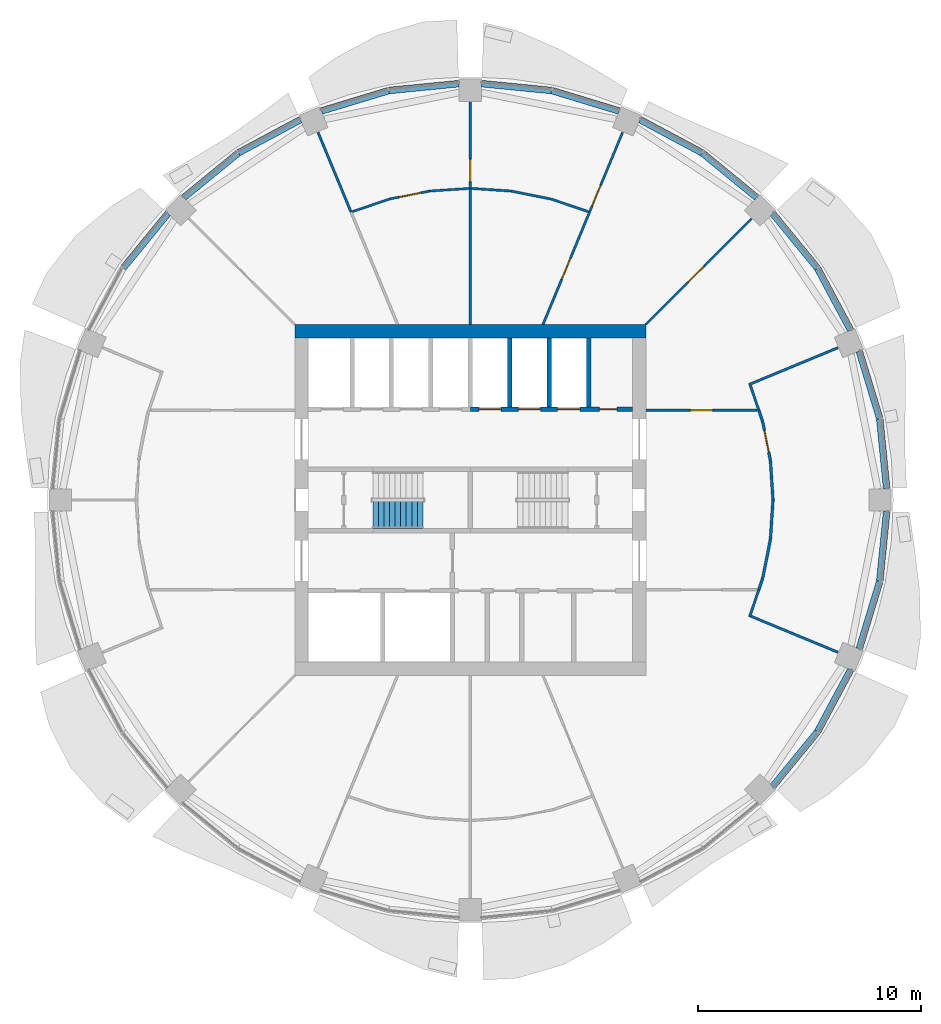
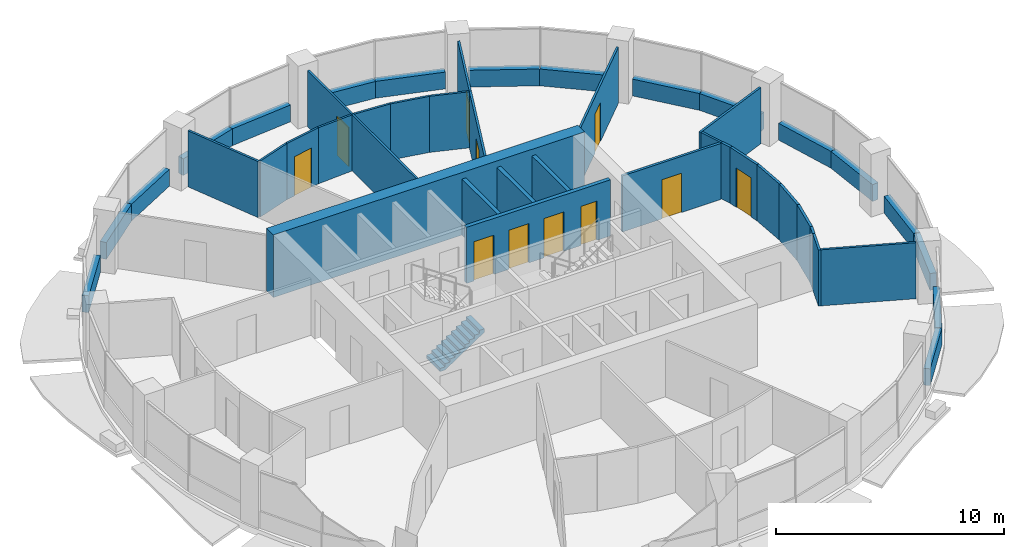
# One storey, part 10 of 15: 45 walls, 11 doors, 1 stair flight, 11 openings, 1 element without a shape of its own.
"""IFC4 building model written with IfcOpenShell, lengths in metres."""

from ifc_helpers import new_model, si_unit, direction, frame, frame_2d, origin, place, context, subcontext, project, spatial, polyline, rectangle, outline, extrude, material, layer, layer_set, type_object, element, fill, aggregate, save


model = new_model("IFC4")

# Units and contexts
model_context = context("Model", 3, precision=1e-05, world=origin(), true_north=direction((0.0, 1.0)))
body_context = subcontext(model_context, "Body", "Model", "MODEL_VIEW")
ifc_project = project(units=[si_unit("LENGTHUNIT", "METRE"), si_unit("AREAUNIT", "SQUARE_METRE"), si_unit("VOLUMEUNIT", "CUBIC_METRE"), si_unit("PLANEANGLEUNIT", "RADIAN"), si_unit("MASSUNIT", "GRAM", prefix="KILO")], contexts=[model_context])

# Site, building, storey
site_placement = place(None, origin())
site = spatial("IfcSite", under=ifc_project, at=site_placement, CompositionType="ELEMENT")
building_placement = place(site_placement, origin())
building = spatial("IfcBuilding", under=site, at=building_placement, Name="Polderwave Tower", CompositionType="ELEMENT")
storey_placement = place(building_placement, frame((0.0, 0.0, 134.35009765625)))
storey = spatial("IfcBuildingStorey", under=building, at=storey_placement, Name="L35", CompositionType="ELEMENT", Elevation=134.35009765625)

# Walls
ifc_material_1 = material(Name="Concrete C60/75", Category="concrete")
ifc_layer_1 = layer(ifc_material_1, 0.60009765625)
ifc_layer_set_1 = layer_set([ifc_layer_1], Name="CORE WALL 600 C60/75")
wall_type_1 = type_object("IfcWallType", Name="CORE WALL 600 C60/75", PredefinedType="SHEAR", material=ifc_layer_set_1)
wall_1_placement = place(storey_placement, frame((-7.8740234375, 7.573974609375, 0.0), z_axis=(0.0, 0.0, 1.0), x_axis=(1.0, 0.0, 0.0)))
element("IfcWall", 1, at=wall_1_placement, inside=storey, type_object=wall_type_1, Name="ST-CORE-L35-N", PredefinedType="SHEAR", context=body_context, shape_type="SweptSolid", body=[
    extrude(rectangle(XDim=15.748046875, YDim=0.60009765625, at=frame_2d((7.8740234375, 0.0))), origin(), (0.0, 0.0, 1.0), 3.349853515625),
])
ifc_material_2 = material(Name="Concrete C50/60 (board-marked)", Category="concrete")
ifc_layer_2 = layer(ifc_material_2, 0.300048828125)
ifc_layer_set_2 = layer_set([ifc_layer_2], Name="Concrete spandrel upstand C50/60")
wall_type_2 = type_object("IfcWallType", Name="Concrete spandrel upstand C50/60", PredefinedType="SOLIDWALL", material=ifc_layer_set_2)
for number, where, z_axis, x_axis, name in (
    (2, (18.679443359375, 0.513916015625, 0.0), (0.0, 0.0, 1.0), (-0.098033428421, 0.995183122301, 0.0), "Spandrel L35 1a"),
    (3, (18.365478515625, 3.66845703125, 0.0), (0.0, 0.0, 1.0), (-0.290434573745, 0.956894852308, 0.0), "Spandrel L35 1b"),
):
    element("IfcWall", number, at=place(storey_placement, frame(where, z_axis=z_axis, x_axis=x_axis)), inside=storey, type_object=wall_type_2, Name=name, PredefinedType="SOLIDWALL", context=body_context, shape_type="SweptSolid", body=[
        extrude(rectangle(XDim=3.140380859375, YDim=0.300048828125, at=frame_2d((1.5703125, 0.0))), origin(), (0.0, 0.0, 1.0), 0.89990234375),
    ])
for number, where, z_axis, x_axis, name in (
    (4, (17.060791015625, 7.623291015625, 0.0), (0.0, 0.0, 1.0), (-0.471487773873, 0.881872597991, 0.0), "Spandrel L35 2a"),
    (5, (15.5634765625, 10.41748046875, 0.0), (0.0, 0.0, 1.0), (-0.634270150579, 0.773111490074, 0.0), "Spandrel L35 2b"),
    (6, (12.845458984375, 13.571533203125, 0.0), (0.0, 0.0, 1.0), (-0.773111490074, 0.634270150579, 0.0), "Spandrel L35 3a"),
    (7, (10.392822265625, 15.580078125, 0.0), (0.0, 0.0, 1.0), (-0.881872597991, 0.471487773873, 0.0), "Spandrel L35 3b"),
):
    element("IfcWall", number, at=place(storey_placement, frame(where, z_axis=z_axis, x_axis=x_axis)), inside=storey, type_object=wall_type_2, Name=name, PredefinedType="SOLIDWALL", context=body_context, shape_type="SweptSolid", body=[
        extrude(rectangle(XDim=3.140625, YDim=0.300048828125, at=frame_2d((1.5703125, 0.0))), origin(), (0.0, 0.0, 1.0), 0.89990234375),
    ])
for number, where, z_axis, x_axis, name in (
    (8, (6.673583984375, 17.453369140625, 0.0), (0.0, 0.0, 1.0), (-0.956894852308, 0.290434573745, 0.0), "Spandrel L35 4a"),
    (9, (3.63916015625, 18.37158203125, 0.0), (0.0, 0.0, 1.0), (-0.995183122301, 0.098033428421, 0.0), "Spandrel L35 4b"),
    (10, (-0.513916015625, 18.679443359375, 0.0), (0.0, 0.0, 1.0), (-0.995183122301, -0.098033428421, 0.0), "Spandrel L35 5a"),
    (11, (-3.66845703125, 18.365478515625, 0.0), (0.0, 0.0, 1.0), (-0.956894852308, -0.290434573745, 0.0), "Spandrel L35 5b"),
):
    element("IfcWall", number, at=place(storey_placement, frame(where, z_axis=z_axis, x_axis=x_axis)), inside=storey, type_object=wall_type_2, Name=name, PredefinedType="SOLIDWALL", context=body_context, shape_type="SweptSolid", body=[
        extrude(rectangle(XDim=3.140380859375, YDim=0.300048828125, at=frame_2d((1.5703125, 0.0))), origin(), (0.0, 0.0, 1.0), 0.89990234375),
    ])
for number, where, z_axis, x_axis, name in (
    (12, (-7.623291015625, 17.060791015625, 0.0), (0.0, 0.0, 1.0), (-0.881872597991, -0.471487773873, 0.0), "Spandrel L35 6a"),
    (13, (-10.41748046875, 15.5634765625, 0.0), (0.0, 0.0, 1.0), (-0.773111490074, -0.634270150579, 0.0), "Spandrel L35 6b"),
    (14, (-13.571533203125, 12.845458984375, 0.0), (0.0, 0.0, 1.0), (-0.634270150579, -0.773111490074, 0.0), "Spandrel L35 7a"),
    (15, (13.571533203125, -12.845458984375, 0.0), (0.0, 0.0, 1.0), (0.634270150579, 0.773111490074, 0.0), "Spandrel L35 15a"),
    (16, (15.580078125, -10.392822265625, 0.0), (0.0, 0.0, 1.0), (0.471487773873, 0.881872597991, 0.0), "Spandrel L35 15b"),
):
    element("IfcWall", number, at=place(storey_placement, frame(where, z_axis=z_axis, x_axis=x_axis)), inside=storey, type_object=wall_type_2, Name=name, PredefinedType="SOLIDWALL", context=body_context, shape_type="SweptSolid", body=[
        extrude(rectangle(XDim=3.140625, YDim=0.300048828125, at=frame_2d((1.5703125, 0.0))), origin(), (0.0, 0.0, 1.0), 0.89990234375),
    ])
for number, where, z_axis, x_axis, name in (
    (17, (17.453369140625, -6.673583984375, 0.0), (0.0, 0.0, 1.0), (0.290434573745, 0.956894852308, 0.0), "Spandrel L35 16a"),
    (18, (18.37158203125, -3.63916015625, 0.0), (0.0, 0.0, 1.0), (0.098033428421, 0.995183122301, 0.0), "Spandrel L35 16b"),
):
    element("IfcWall", number, at=place(storey_placement, frame(where, z_axis=z_axis, x_axis=x_axis)), inside=storey, type_object=wall_type_2, Name=name, PredefinedType="SOLIDWALL", context=body_context, shape_type="SweptSolid", body=[
        extrude(rectangle(XDim=3.140380859375, YDim=0.300048828125, at=frame_2d((1.5703125, 0.0))), origin(), (0.0, 0.0, 1.0), 0.89990234375),
    ])

# Wall, openings, doors
ifc_material_3 = material(Name="Concrete C50/60", Category="concrete")
ifc_layer_3 = layer(ifc_material_3, 0.199951171875)
ifc_layer_set_3 = layer_set([ifc_layer_3], Name="Core web wall 200")
wall_type_3 = type_object("IfcWallType", Name="Core web wall 200", PredefinedType="SHEAR", material=ifc_layer_set_3)
wall_2_placement = place(storey_placement, frame((0.0, 4.073974609375, 0.0), z_axis=(0.0, 0.0, 1.0), x_axis=(1.0, 0.0, 0.0)))
wall_2 = element("IfcWall", 19, at=wall_2_placement, inside=storey, type_object=wall_type_3, Name="L35 north front wall 2", PredefinedType="SHEAR", context=body_context, shape_type="SweptSolid", body=[
    extrude(rectangle(XDim=7.27392578125, YDim=0.199951171875, at=frame_2d((3.636962890625, 0.0))), origin(), (0.0, 0.0, 1.0), 3.0),
])
opening_1_placement = place(wall_2_placement, frame((0.38427734375, 0.0, 0.0)))
opening_1 = element("IfcOpeningElement", 20, at=opening_1_placement, cuts=wall_2, Name="Opening L35-D07", PredefinedType="OPENING", context=body_context, shape_type="SweptSolid", body=[
    extrude(rectangle(XDim=1.0, YDim=2.10009765625, at=frame_2d((0.5, 1.050048828125))), frame((0.0, 0.10986328125, 0.0), z_axis=(0.0, -1.0, 0.0), x_axis=(1.0, 0.0, 0.0)), (0.0, 0.0, 1.0), 0.219970703125),
])
opening_2_placement = place(wall_2_placement, frame((2.15283203125, 0.0, 0.0)))
opening_2 = element("IfcOpeningElement", 21, at=opening_2_placement, cuts=wall_2, Name="Opening L35-D08", PredefinedType="OPENING", context=body_context, shape_type="SweptSolid", body=[
    extrude(rectangle(XDim=1.0, YDim=2.10009765625, at=frame_2d((0.5, 1.050048828125))), frame((0.0, 0.10986328125, 0.0), z_axis=(0.0, -1.0, 0.0), x_axis=(1.0, 0.0, 0.0)), (0.0, 0.0, 1.0), 0.219970703125),
])
opening_3_placement = place(wall_2_placement, frame((3.921142578125, 0.0, 0.0)))
opening_3 = element("IfcOpeningElement", 22, at=opening_3_placement, cuts=wall_2, Name="Opening L35-D09", PredefinedType="OPENING", context=body_context, shape_type="SweptSolid", body=[
    extrude(rectangle(XDim=1.0, YDim=2.10009765625, at=frame_2d((0.5, 1.050048828125))), frame((0.0, 0.10986328125, 0.0), z_axis=(0.0, -1.0, 0.0), x_axis=(1.0, 0.0, 0.0)), (0.0, 0.0, 1.0), 0.219970703125),
])
opening_4_placement = place(wall_2_placement, frame((5.789794921875, 0.0, 0.0)))
opening_4 = element("IfcOpeningElement", 23, at=opening_4_placement, cuts=wall_2, Name="Opening L35-D19", PredefinedType="OPENING", context=body_context, shape_type="SweptSolid", body=[
    extrude(rectangle(XDim=0.800048828125, YDim=2.10009765625, at=frame_2d((0.39990234375, 1.050048828125))), frame((0.0, 0.10986328125, 0.0), z_axis=(0.0, -1.0, 0.0), x_axis=(1.0, 0.0, 0.0)), (0.0, 0.0, 1.0), 0.219970703125),
])
ifc_material_4 = material(Name="Stainless steel", Category="steel")
door_type_1 = type_object("IfcDoorType", Name="Lift landing door 1000", OperationType="DOUBLE_DOOR_SLIDING", PredefinedType="DOOR", material=ifc_material_4)
door_1_placement = place(opening_1_placement, frame((1.0, 0.0, 0.0), z_axis=(0.0, 0.0, 1.0), x_axis=(-1.0, 0.0, 0.0)))
door_1 = element("IfcDoor", 24, at=door_1_placement, inside=storey, type_object=door_type_1, Name="Lift HL5 landing door", OperationType="DOUBLE_DOOR_SLIDING", OverallHeight=2.10009765625, OverallWidth=1.0, PredefinedType="DOOR", context=body_context, shape_type="SweptSolid", body=[
    extrude(rectangle(XDim=1.0, YDim=2.10009765625, at=frame_2d((0.5, 1.050048828125))), frame((0.0, 0.02490234375, 0.0), z_axis=(0.0, -1.0, 0.0), x_axis=(1.0, 0.0, 0.0)), (0.0, 0.0, 1.0), 0.050048828125),
])
fill(opening_1, door_1)
door_2_placement = place(opening_2_placement, frame((1.0, 0.0, 0.0), z_axis=(0.0, 0.0, 1.0), x_axis=(-1.0, 0.0, 0.0)))
door_2 = element("IfcDoor", 25, at=door_2_placement, inside=storey, type_object=door_type_1, Name="Lift HL6 landing door", OperationType="DOUBLE_DOOR_SLIDING", OverallHeight=2.10009765625, OverallWidth=1.0, PredefinedType="DOOR", context=body_context, shape_type="SweptSolid", body=[
    extrude(rectangle(XDim=1.0, YDim=2.10009765625, at=frame_2d((0.5, 1.050048828125))), frame((0.0, 0.02490234375, 0.0), z_axis=(0.0, -1.0, 0.0), x_axis=(1.0, 0.0, 0.0)), (0.0, 0.0, 1.0), 0.050048828125),
])
fill(opening_2, door_2)
door_3_placement = place(opening_3_placement, frame((1.0, 0.0, 0.0), z_axis=(0.0, 0.0, 1.0), x_axis=(-1.0, 0.0, 0.0)))
door_3 = element("IfcDoor", 26, at=door_3_placement, inside=storey, type_object=door_type_1, Name="Lift HL7 landing door", OperationType="DOUBLE_DOOR_SLIDING", OverallHeight=2.10009765625, OverallWidth=1.0, PredefinedType="DOOR", context=body_context, shape_type="SweptSolid", body=[
    extrude(rectangle(XDim=1.0, YDim=2.10009765625, at=frame_2d((0.5, 1.050048828125))), frame((0.0, 0.02490234375, 0.0), z_axis=(0.0, -1.0, 0.0), x_axis=(1.0, 0.0, 0.0)), (0.0, 0.0, 1.0), 0.050048828125),
])
fill(opening_3, door_3)
ifc_material_5 = material(Name="Steel fire door", Category="steel")
door_type_2 = type_object("IfcDoorType", Name="Riser door 800", OperationType="NOTDEFINED", PredefinedType="DOOR", material=ifc_material_5)
door_4_placement = place(opening_4_placement, frame((0.800048828125, 0.0, 0.0), z_axis=(0.0, 0.0, 1.0), x_axis=(-1.0, 0.0, 0.0)))
door_4 = element("IfcDoor", 27, at=door_4_placement, inside=storey, type_object=door_type_2, Name="Riser door", OperationType="SINGLE_SWING_LEFT", OverallHeight=2.10009765625, OverallWidth=0.800048828125, PredefinedType="DOOR", context=body_context, shape_type="SweptSolid", body=[
    extrude(rectangle(XDim=0.800048828125, YDim=2.10009765625, at=frame_2d((0.39990234375, 1.050048828125))), frame((0.0, 0.02490234375, 0.0), z_axis=(0.0, -1.0, 0.0), x_axis=(1.0, 0.0, 0.0)), (0.0, 0.0, 1.0), 0.050048828125),
])
fill(opening_4, door_4)

# Walls
ifc_material_6 = material(Name="Fire-resisting board on steel studs", Category="steel")
ifc_layer_4 = layer(ifc_material_6, 0.125)
ifc_layer_set_4 = layer_set([ifc_layer_4], Name="Corridor wall 125 mm EI 60")
wall_type_4 = type_object("IfcWallType", Name="Corridor wall 125 mm EI 60", PredefinedType="PARTITIONING", material=ifc_layer_set_4)
for number, where, z_axis, x_axis, name in (
    (28, (12.944091796875, 4.0244140625, 0.0), (0.0, 0.0, 1.0), (0.321845361422, -0.946792249298, 0.0), "IN-L35-W001"),
    (29, (13.115966796875, -3.518798828125, 0.0), (0.0, 0.0, 1.0), (-0.321845361422, -0.946792249298, 0.0), "IN-L35-W002"),
):
    element("IfcWall", number, at=place(storey_placement, frame(where, z_axis=z_axis, x_axis=x_axis)), inside=storey, type_object=wall_type_4, Name=name, PredefinedType="PARTITIONING", context=body_context, shape_type="SweptSolid", body=[
        extrude(rectangle(XDim=0.533935546875, YDim=0.125, at=frame_2d((0.26708984375, 0.0))), origin(), (0.0, 0.0, 1.0), 3.0),
    ])

# Wall, opening, door
wall_3_placement = place(storey_placement, frame((13.1181640625, 3.5107421875, 0.0), z_axis=(0.0, 0.0, 1.0), x_axis=(0.194974156358, -0.980808380038, 0.0)))
wall_3 = element("IfcWall", 30, at=wall_3_placement, inside=storey, type_object=wall_type_4, Name="IN-L35-W003", PredefinedType="PARTITIONING", context=body_context, shape_type="SweptSolid", body=[
    extrude(rectangle(XDim=1.76806640625, YDim=0.125, at=frame_2d((0.884033203125, 0.0))), origin(), (0.0, 0.0, 1.0), 3.0),
])
opening_5_placement = place(wall_3_placement, frame((0.39990234375, 0.0, 0.0)))
opening_5 = element("IfcOpeningElement", 31, at=opening_5_placement, cuts=wall_3, Name="Opening L35-D50", PredefinedType="OPENING", context=body_context, shape_type="SweptSolid", body=[
    extrude(rectangle(XDim=1.0, YDim=2.10009765625, at=frame_2d((0.5, 1.050048828125))), frame((0.0, 0.072509765625, 0.0), z_axis=(0.0, -1.0, 0.0), x_axis=(1.0, 0.0, 0.0)), (0.0, 0.0, 1.0), 0.14501953125),
])
ifc_material_7 = material(Name="Timber fire door leaf", Category="wood")
door_type_3 = type_object("IfcDoorType", Name="Fire door FD30S 1000 x 2100", OperationType="NOTDEFINED", PredefinedType="DOOR", material=ifc_material_7)
door_5_placement = place(opening_5_placement, origin())
door_5 = element("IfcDoor", 32, at=door_5_placement, inside=storey, type_object=door_type_3, Name="Door L35-D50", OperationType="SINGLE_SWING_RIGHT", OverallHeight=2.10009765625, OverallWidth=1.0, PredefinedType="DOOR", context=body_context, shape_type="SweptSolid", body=[
    extrude(rectangle(XDim=1.0, YDim=2.10009765625, at=frame_2d((0.5, 1.050048828125))), frame((0.0, 0.02490234375, 0.0), z_axis=(0.0, -1.0, 0.0), x_axis=(1.0, 0.0, 0.0)), (0.0, 0.0, 1.0), 0.050048828125),
])
fill(opening_5, door_5)

# Walls
wall_4_placement = place(storey_placement, frame((13.462890625, -1.776611328125, 0.0), z_axis=(0.0, 0.0, 1.0), x_axis=(-0.194974156358, -0.980808380038, 0.0)))
element("IfcWall", 33, at=wall_4_placement, inside=storey, type_object=wall_type_4, Name="IN-L35-W004", PredefinedType="PARTITIONING", context=body_context, shape_type="SweptSolid", body=[
    extrude(rectangle(XDim=1.76806640625, YDim=0.125, at=frame_2d((0.884033203125, 0.0))), origin(), (0.0, 0.0, 1.0), 3.0),
])
for number, where, z_axis, x_axis, name in (
    (34, (13.464111328125, 1.768310546875, 0.0), (0.0, 0.0, 1.0), (0.06531828113, -0.997864480854, 0.0), "IN-L35-W005"),
    (35, (13.57958984375, -0.004150390625, 0.0), (0.0, 0.0, 1.0), (-0.06531828113, -0.997864480854, 0.0), "IN-L35-W006"),
):
    element("IfcWall", number, at=place(storey_placement, frame(where, z_axis=z_axis, x_axis=x_axis)), inside=storey, type_object=wall_type_4, Name=name, PredefinedType="PARTITIONING", context=body_context, shape_type="SweptSolid", body=[
        extrude(rectangle(XDim=1.767822265625, YDim=0.125, at=frame_2d((0.8837890625, 0.0))), origin(), (0.0, 0.0, 1.0), 3.0),
    ])

# Wall, opening, door
wall_5_placement = place(storey_placement, frame((7.8740234375, 4.0244140625, 0.0), z_axis=(0.0, 0.0, 1.0), x_axis=(1.0, 0.0, 0.0)))
wall_5 = element("IfcWall", 36, at=wall_5_placement, inside=storey, type_object=wall_type_4, Name="IN-L35-W007", PredefinedType="PARTITIONING", context=body_context, shape_type="SweptSolid", body=[
    extrude(rectangle(XDim=4.98291015625, YDim=0.125, at=frame_2d((2.491455078125, 0.0))), origin(), (0.0, 0.0, 1.0), 3.0),
])
opening_6_placement = place(wall_5_placement, frame((2.0, 0.0, 0.0)))
opening_6 = element("IfcOpeningElement", 37, at=opening_6_placement, cuts=wall_5, Name="Opening L35-D51", PredefinedType="OPENING", context=body_context, shape_type="SweptSolid", body=[
    extrude(rectangle(XDim=1.0, YDim=2.10009765625, at=frame_2d((0.5, 1.050048828125))), frame((0.0, 0.072509765625, 0.0), z_axis=(0.0, -1.0, 0.0), x_axis=(1.0, 0.0, 0.0)), (0.0, 0.0, 1.0), 0.14501953125),
])
door_6_placement = place(opening_6_placement, origin())
door_6 = element("IfcDoor", 38, at=door_6_placement, inside=storey, type_object=door_type_3, Name="Door L35-D51", OperationType="SINGLE_SWING_RIGHT", OverallHeight=2.10009765625, OverallWidth=1.0, PredefinedType="DOOR", context=body_context, shape_type="SweptSolid", body=[
    extrude(rectangle(XDim=1.0, YDim=2.10009765625, at=frame_2d((0.5, 1.050048828125))), frame((0.0, 0.02490234375, 0.0), z_axis=(0.0, -1.0, 0.0), x_axis=(1.0, 0.0, 0.0)), (0.0, 0.0, 1.0), 0.050048828125),
])
fill(opening_6, door_6)

ifc_material_8 = material(Name="Plasterboard on steel studs", Category="steel")
ifc_layer_5 = layer(ifc_material_8, 0.10009765625)
ifc_layer_set_5 = layer_set([ifc_layer_5], Name="Partition 100 mm plasterboard on steel studs")
wall_type_5 = type_object("IfcWallType", Name="Partition 100 mm plasterboard on steel studs", PredefinedType="PARTITIONING", material=ifc_layer_set_5)
wall_6_placement = place(storey_placement, frame((7.8740234375, 7.8740234375, 0.0), z_axis=(0.0, 0.0, 1.0), x_axis=(0.707106781187, 0.707106781187, 0.0)))
wall_6 = element("IfcWall", 39, at=wall_6_placement, inside=storey, type_object=wall_type_5, Name="IN-L35-W021", PredefinedType="PARTITIONING", context=body_context, shape_type="SweptSolid", body=[
    extrude(rectangle(XDim=6.71435546875, YDim=0.10009765625, at=frame_2d((3.357177734375, 0.0))), origin(), (0.0, 0.0, 1.0), 3.0),
])
opening_7_placement = place(wall_6_placement, frame((2.699951171875, 0.0, 0.0)))
opening_7 = element("IfcOpeningElement", 40, at=opening_7_placement, cuts=wall_6, Name="Opening L35-D57", PredefinedType="OPENING", context=body_context, shape_type="SweptSolid", body=[
    extrude(rectangle(XDim=1.0, YDim=2.10009765625, at=frame_2d((0.5, 1.050048828125))), frame((0.0, 0.06005859375, 0.0), z_axis=(0.0, -1.0, 0.0), x_axis=(1.0, 0.0, 0.0)), (0.0, 0.0, 1.0), 0.1201171875),
])
ifc_material_9 = material(Name="Timber veneer door leaf", Category="wood")
door_type_4 = type_object("IfcDoorType", Name="Single door 1000 x 2100", OperationType="NOTDEFINED", PredefinedType="DOOR", material=ifc_material_9)
door_7_placement = place(opening_7_placement, origin())
door_7 = element("IfcDoor", 41, at=door_7_placement, inside=storey, type_object=door_type_4, Name="Door L35-D57", OperationType="SINGLE_SWING_LEFT", OverallHeight=2.10009765625, OverallWidth=1.0, PredefinedType="DOOR", context=body_context, shape_type="SweptSolid", body=[
    extrude(rectangle(XDim=1.0, YDim=2.10009765625, at=frame_2d((0.5, 1.050048828125))), frame((0.0, 0.02490234375, 0.0), z_axis=(0.0, -1.0, 0.0), x_axis=(1.0, 0.0, 0.0)), (0.0, 0.0, 1.0), 0.050048828125),
])
fill(opening_7, door_7)

wall_7_placement = place(storey_placement, frame((5.349853515625, 12.915771484375, 0.0), z_axis=(0.0, 0.0, 1.0), x_axis=(0.382674944996, 0.923883048049, 0.0)))
wall_7 = element("IfcWall", 42, at=wall_7_placement, inside=storey, type_object=wall_type_5, Name="IN-L35-W023", PredefinedType="PARTITIONING", context=body_context, shape_type="SweptSolid", body=[
    extrude(rectangle(XDim=3.8701171875, YDim=0.10009765625, at=frame_2d((1.93505859375, 0.0))), origin(), (0.0, 0.0, 1.0), 3.0),
])
opening_8_placement = place(wall_7_placement, frame((0.300048828125, 0.0, 0.0)))
opening_8 = element("IfcOpeningElement", 43, at=opening_8_placement, cuts=wall_7, Name="Opening L35-D59", PredefinedType="OPENING", context=body_context, shape_type="SweptSolid", body=[
    extrude(rectangle(XDim=1.0, YDim=2.10009765625, at=frame_2d((0.5, 1.050048828125))), frame((0.0, 0.06005859375, 0.0), z_axis=(0.0, -1.0, 0.0), x_axis=(1.0, 0.0, 0.0)), (0.0, 0.0, 1.0), 0.1201171875),
])
door_8_placement = place(opening_8_placement, origin())
door_8 = element("IfcDoor", 44, at=door_8_placement, inside=storey, type_object=door_type_4, Name="Door L35-D59", OperationType="SINGLE_SWING_LEFT", OverallHeight=2.10009765625, OverallWidth=1.0, PredefinedType="DOOR", context=body_context, shape_type="SweptSolid", body=[
    extrude(rectangle(XDim=1.0, YDim=2.10009765625, at=frame_2d((0.5, 1.050048828125))), frame((0.0, 0.02490234375, 0.0), z_axis=(0.0, -1.0, 0.0), x_axis=(1.0, 0.0, 0.0)), (0.0, 0.0, 1.0), 0.050048828125),
])
fill(opening_8, door_8)

wall_8_placement = place(storey_placement, frame((0.0, 13.97998046875, 0.0), z_axis=(0.0, 0.0, 1.0), x_axis=(0.0, 1.0, 0.0)))
wall_8 = element("IfcWall", 45, at=wall_8_placement, inside=storey, type_object=wall_type_5, Name="IN-L35-W028", PredefinedType="PARTITIONING", context=body_context, shape_type="SweptSolid", body=[
    extrude(rectangle(XDim=3.8701171875, YDim=0.10009765625, at=frame_2d((1.93505859375, 0.0))), origin(), (0.0, 0.0, 1.0), 3.0),
])
opening_9_placement = place(wall_8_placement, frame((0.300048828125, 0.0, 0.0)))
opening_9 = element("IfcOpeningElement", 46, at=opening_9_placement, cuts=wall_8, Name="Opening L35-D60", PredefinedType="OPENING", context=body_context, shape_type="SweptSolid", body=[
    extrude(rectangle(XDim=1.0, YDim=2.10009765625, at=frame_2d((0.5, 1.050048828125))), frame((0.0, 0.06005859375, 0.0), z_axis=(0.0, -1.0, 0.0), x_axis=(1.0, 0.0, 0.0)), (0.0, 0.0, 1.0), 0.1201171875),
])
door_9_placement = place(opening_9_placement, origin())
door_9 = element("IfcDoor", 47, at=door_9_placement, inside=storey, type_object=door_type_4, Name="Door L35-D60", OperationType="SINGLE_SWING_LEFT", OverallHeight=2.10009765625, OverallWidth=1.0, PredefinedType="DOOR", context=body_context, shape_type="SweptSolid", body=[
    extrude(rectangle(XDim=1.0, YDim=2.10009765625, at=frame_2d((0.5, 1.050048828125))), frame((0.0, 0.02490234375, 0.0), z_axis=(0.0, -1.0, 0.0), x_axis=(1.0, 0.0, 0.0)), (0.0, 0.0, 1.0), 0.050048828125),
])
fill(opening_9, door_9)

# Wall
wall_9_placement = place(storey_placement, frame((-5.294677734375, 12.9345703125, 0.0), z_axis=(0.0, 0.0, 1.0), x_axis=(0.946956178164, 0.321362718181, 0.0)))
element("IfcWall", 48, at=wall_9_placement, inside=storey, type_object=wall_type_5, Name="IN-L35-W029", PredefinedType="PARTITIONING", context=body_context, shape_type="SweptSolid", body=[
    extrude(rectangle(XDim=1.76708984375, YDim=0.10009765625, at=frame_2d((0.883544921875, 0.0))), origin(), (0.0, 0.0, 1.0), 3.0),
])

# Wall, opening, door
wall_10_placement = place(storey_placement, frame((-1.827880859375, 13.85986328125, 0.0), z_axis=(0.0, 0.0, 1.0), x_axis=(-0.980760623666, -0.195214238891, 0.0)))
wall_10 = element("IfcWall", 49, at=wall_10_placement, inside=storey, type_object=wall_type_5, Name="IN-L35-W030", PredefinedType="PARTITIONING", context=body_context, shape_type="SweptSolid", body=[
    extrude(rectangle(XDim=1.822265625, YDim=0.10009765625, at=frame_2d((0.9111328125, 0.0))), origin(), (0.0, 0.0, 1.0), 3.0),
])
opening_10_placement = place(wall_10_placement, frame((0.39990234375, 0.0, 0.0)))
opening_10 = element("IfcOpeningElement", 50, at=opening_10_placement, cuts=wall_10, Name="Opening L35-D61", PredefinedType="OPENING", context=body_context, shape_type="SweptSolid", body=[
    extrude(rectangle(XDim=1.0, YDim=2.10009765625, at=frame_2d((0.5, 1.050048828125))), frame((0.0, 0.06005859375, 0.0), z_axis=(0.0, -1.0, 0.0), x_axis=(1.0, 0.0, 0.0)), (0.0, 0.0, 1.0), 0.1201171875),
])
door_10_placement = place(opening_10_placement, origin())
door_10 = element("IfcDoor", 51, at=door_10_placement, inside=storey, type_object=door_type_4, Name="Door L35-D61", OperationType="SINGLE_SWING_LEFT", OverallHeight=2.10009765625, OverallWidth=1.0, PredefinedType="DOOR", context=body_context, shape_type="SweptSolid", body=[
    extrude(rectangle(XDim=1.0, YDim=2.10009765625, at=frame_2d((0.5, 1.050048828125))), frame((0.0, 0.02490234375, 0.0), z_axis=(0.0, -1.0, 0.0), x_axis=(1.0, 0.0, 0.0)), (0.0, 0.0, 1.0), 0.050048828125),
])
fill(opening_10, door_10)

# Wall
wall_11_placement = place(storey_placement, frame((-1.821533203125, 13.860595703125, 0.0), z_axis=(0.0, 0.0, 1.0), x_axis=(0.997859016196, 0.065401710962, 0.0)))
element("IfcWall", 52, at=wall_11_placement, inside=storey, type_object=wall_type_5, Name="IN-L35-W031", PredefinedType="PARTITIONING", context=body_context, shape_type="SweptSolid", body=[
    extrude(rectangle(XDim=1.76953125, YDim=0.10009765625, at=frame_2d((0.884765625, 0.0))), origin(), (0.0, 0.0, 1.0), 3.0),
])

# Wall, opening, door
ifc_material_10 = material(Name="Moisture-resistant board on steel studs, tiled", Category="steel")
ifc_layer_6 = layer(ifc_material_10, 0.10498046875)
ifc_layer_set_6 = layer_set([ifc_layer_6], Name="Partition 105 mm wet room board and tile")
wall_type_6 = type_object("IfcWallType", Name="Partition 105 mm wet room board and tile", PredefinedType="PARTITIONING", material=ifc_layer_set_6)
wall_12_placement = place(storey_placement, frame((3.261474609375, 7.8740234375, 0.0), z_axis=(0.0, 0.0, 1.0), x_axis=(0.38268632394, 0.923878334777, 0.0)))
wall_12 = element("IfcWall", 53, at=wall_12_placement, inside=storey, type_object=wall_type_6, Name="IN-L35-W022", PredefinedType="PARTITIONING", context=body_context, shape_type="SweptSolid", body=[
    extrude(rectangle(XDim=5.457275390625, YDim=0.10498046875, at=frame_2d((2.728515625, 0.0))), origin(), (0.0, 0.0, 1.0), 3.0),
])
opening_11_placement = place(wall_12_placement, frame((2.199951171875, 0.0, 0.0)))
opening_11 = element("IfcOpeningElement", 54, at=opening_11_placement, cuts=wall_12, Name="Opening L35-D58", PredefinedType="OPENING", context=body_context, shape_type="SweptSolid", body=[
    extrude(rectangle(XDim=1.0, YDim=2.10009765625, at=frame_2d((0.5, 1.050048828125))), frame((0.0, 0.0625, 0.0), z_axis=(0.0, -1.0, 0.0), x_axis=(1.0, 0.0, 0.0)), (0.0, 0.0, 1.0), 0.125),
])
door_11_placement = place(opening_11_placement, origin())
door_11 = element("IfcDoor", 55, at=door_11_placement, inside=storey, type_object=door_type_4, Name="Door L35-D58", OperationType="SINGLE_SWING_LEFT", OverallHeight=2.10009765625, OverallWidth=1.0, PredefinedType="DOOR", context=body_context, shape_type="SweptSolid", body=[
    extrude(rectangle(XDim=1.0, YDim=2.10009765625, at=frame_2d((0.5, 1.050048828125))), frame((0.0, 0.02490234375, 0.0), z_axis=(0.0, -1.0, 0.0), x_axis=(1.0, 0.0, 0.0)), (0.0, 0.0, 1.0), 0.050048828125),
])
fill(opening_11, door_11)

# Walls
wall_13_placement = place(storey_placement, frame((0.055908203125, 13.976318359375, 0.0), z_axis=(0.0, 0.0, 1.0), x_axis=(0.997858425888, -0.065410716895, 0.0)))
element("IfcWall", 56, at=wall_13_placement, inside=storey, type_object=wall_type_6, Name="IN-L35-W024", PredefinedType="PARTITIONING", context=body_context, shape_type="SweptSolid", body=[
    extrude(rectangle(XDim=1.769287109375, YDim=0.10498046875, at=frame_2d((0.884765625, 0.0))), origin(), (0.0, 0.0, 1.0), 3.0),
])
wall_14_placement = place(storey_placement, frame((1.828125, 13.859619140625, 0.0), z_axis=(0.0, 0.0, 1.0), x_axis=(0.980806803366, -0.194982087566, 0.0)))
element("IfcWall", 57, at=wall_14_placement, inside=storey, type_object=wall_type_6, Name="IN-L35-W025", PredefinedType="PARTITIONING", context=body_context, shape_type="SweptSolid", body=[
    extrude(rectangle(XDim=1.82177734375, YDim=0.10498046875, at=frame_2d((0.910888671875, 0.0))), origin(), (0.0, 0.0, 1.0), 3.0),
])
wall_15_placement = place(storey_placement, frame((3.62158203125, 13.50244140625, 0.0), z_axis=(0.0, 0.0, 1.0), x_axis=(0.946944205154, -0.321397996765, 0.0)))
element("IfcWall", 58, at=wall_15_placement, inside=storey, type_object=wall_type_6, Name="IN-L35-W026", PredefinedType="PARTITIONING", context=body_context, shape_type="SweptSolid", body=[
    extrude(rectangle(XDim=1.76904296875, YDim=0.10498046875, at=frame_2d((0.884521484375, 0.0))), origin(), (0.0, 0.0, 1.0), 3.0),
])
wall_16_placement = place(storey_placement, frame((0.0, 7.8740234375, 0.0), z_axis=(0.0, 0.0, 1.0), x_axis=(0.0, 1.0, 0.0)))
element("IfcWall", 59, at=wall_16_placement, inside=storey, type_object=wall_type_6, Name="IN-L35-W027", PredefinedType="PARTITIONING", context=body_context, shape_type="SweptSolid", body=[
    extrude(rectangle(XDim=6.10595703125, YDim=0.10498046875, at=frame_2d((3.052978515625, 0.0))), origin(), (0.0, 0.0, 1.0), 3.0),
])
ifc_material_11 = material(Name="Acoustic double plasterboard on steel studs", Category="steel")
ifc_layer_7 = layer(ifc_material_11, 0.110107421875)
ifc_layer_set_7 = layer_set([ifc_layer_7], Name="Partition 110 mm acoustic double board")
wall_type_7 = type_object("IfcWallType", Name="Partition 110 mm acoustic double board", PredefinedType="PARTITIONING", material=ifc_layer_set_7)
wall_17_placement = place(storey_placement, frame((12.49560546875, 5.17578125, 0.0), z_axis=(0.0, 0.0, 1.0), x_axis=(0.923879914952, 0.382682509071, 0.0)))
element("IfcWall", 60, at=wall_17_placement, inside=storey, type_object=wall_type_7, Name="IN-L35-W017", PredefinedType="PARTITIONING", context=body_context, shape_type="SweptSolid", body=[
    extrude(rectangle(XDim=4.32470703125, YDim=0.110107421875, at=frame_2d((2.162353515625, 0.0))), origin(), (0.0, 0.0, 1.0), 3.0),
])
wall_18_placement = place(storey_placement, frame((12.944091796875, 4.0244140625, 0.0), z_axis=(0.0, 0.0, 1.0), x_axis=(-0.321316236961, 0.946971950939, 0.0)))
element("IfcWall", 61, at=wall_18_placement, inside=storey, type_object=wall_type_7, Name="IN-L35-W018", PredefinedType="PARTITIONING", context=body_context, shape_type="SweptSolid", body=[
    extrude(rectangle(XDim=1.17919921875, YDim=0.110107421875, at=frame_2d((0.589599609375, 0.0))), origin(), (0.0, 0.0, 1.0), 3.0),
])
wall_19_placement = place(storey_placement, frame((12.528564453125, -5.248779296875, 0.0), z_axis=(0.0, 0.0, 1.0), x_axis=(0.321377985385, 0.946950996889, 0.0)))
element("IfcWall", 62, at=wall_19_placement, inside=storey, type_object=wall_type_7, Name="IN-L35-W019", PredefinedType="PARTITIONING", context=body_context, shape_type="SweptSolid", body=[
    extrude(rectangle(XDim=1.29296875, YDim=0.110107421875, at=frame_2d((0.646484375, 0.0))), origin(), (0.0, 0.0, 1.0), 3.0),
])
wall_20_placement = place(storey_placement, frame((16.4912109375, -6.830810546875, 0.0), z_axis=(0.0, 0.0, 1.0), x_axis=(-0.923877633043, 0.382688018055, 0.0)))
element("IfcWall", 63, at=wall_20_placement, inside=storey, type_object=wall_type_7, Name="IN-L35-W020", PredefinedType="PARTITIONING", context=body_context, shape_type="SweptSolid", body=[
    extrude(rectangle(XDim=4.211181640625, YDim=0.110107421875, at=frame_2d((2.10546875, 0.0))), origin(), (0.0, 0.0, 1.0), 3.0),
])
wall_21_placement = place(storey_placement, frame((-5.349853515625, 12.915771484375, 0.0), z_axis=(0.0, 0.0, 1.0), x_axis=(-0.382674944996, 0.923883048049, 0.0)))
element("IfcWall", 64, at=wall_21_placement, inside=storey, type_object=wall_type_7, Name="IN-L35-W033", PredefinedType="PARTITIONING", context=body_context, shape_type="SweptSolid", body=[
    extrude(rectangle(XDim=3.8701171875, YDim=0.110107421875, at=frame_2d((1.93505859375, 0.0))), origin(), (0.0, 0.0, 1.0), 3.0),
])
ifc_material_12 = material(Name="Gypsum shaft wall system")
ifc_layer_8 = layer(ifc_material_12, 0.199951171875)
ifc_layer_set_8 = layer_set([ifc_layer_8], Name="Shaft wall 200")
wall_type_8 = type_object("IfcWallType", Name="Shaft wall 200", PredefinedType="PARTITIONING", material=ifc_layer_set_8)
for number, where, z_axis, x_axis, name in (
    (65, (1.7685546875, 4.174072265625, 0.0), (0.0, 0.0, 1.0), (0.0, 1.0, 0.0), "L35 lift shaft wall N5"),
    (66, (3.537109375, 4.174072265625, 0.0), (0.0, 0.0, 1.0), (0.0, 1.0, 0.0), "L35 lift shaft wall N6"),
    (67, (5.305419921875, 4.174072265625, 0.0), (0.0, 0.0, 1.0), (0.0, 1.0, 0.0), "L35 lift shaft wall N7"),
):
    element("IfcWall", number, at=place(storey_placement, frame(where, z_axis=z_axis, x_axis=x_axis)), inside=storey, type_object=wall_type_8, Name=name, PredefinedType="PARTITIONING", context=body_context, shape_type="SweptSolid", body=[
        extrude(rectangle(XDim=3.099853515625, YDim=0.199951171875, at=frame_2d((1.5498046875, 0.0))), origin(), (0.0, 0.0, 1.0), 3.0),
    ])

# Stair, stair flight
ifc_material_13 = material(Name="Concrete C40/50", Category="concrete")
stair_type = type_object("IfcStairType", Name="Exit stair 1200 x 20 risers", PredefinedType="HALF_TURN_STAIR", material=ifc_material_13)
stair_placement = place(storey_placement, origin())
stair = element("IfcStair", 68, at=stair_placement, inside=storey, type_object=stair_type, Name="L35 Exit stair A", PredefinedType="HALF_TURN_STAIR")
stair_flight_type = type_object("IfcStairFlightType", Name="Stair flight 1200", PredefinedType="STRAIGHT", material=ifc_material_13)
stair_flight_placement = place(storey_placement, frame((-4.3740234375, -0.675048828125, 0.0), z_axis=(0.0, 0.0, 1.0), x_axis=(1.0, 0.0, 0.0)))
stair_flight = element("IfcStairFlight", 69, at=stair_flight_placement, type_object=stair_flight_type, Name="ST-A flight 1", NumberOfRisers=10, NumberOfTreads=9, PredefinedType="STRAIGHT", RiserHeight=0.1675, TreadLength=0.25, context=body_context, shape_type="SweptSolid", body=[
    extrude(outline(polyline([(0.0, 0.0), (0.0, 0.16748046875), (0.25, 0.16748046875), (0.25, 0.3349609375), (0.5, 0.3349609375), (0.5, 0.50244140625), (0.75, 0.50244140625), (0.75, 0.669921875), (1.0, 0.669921875), (1.0, 0.83740234375), (1.25, 0.83740234375), (1.25, 1.0048828125), (1.5, 1.0048828125), (1.5, 1.172607421875), (1.75, 1.172607421875), (1.75, 1.340087890625), (2.0, 1.340087890625), (2.0, 1.507568359375), (2.25, 1.507568359375), (2.25, 1.675048828125), (2.25, 1.3271484375), (0.269287109375, 0.0), (0.0, 0.0)])), frame((0.0, 0.60009765625, 0.0), z_axis=(0.0, -1.0, 0.0), x_axis=(1.0, 0.0, 0.0)), (0.0, 0.0, 1.0), 1.199951171875),
])
aggregate(stair, [stair_flight])

save(model, "model.ifc")
